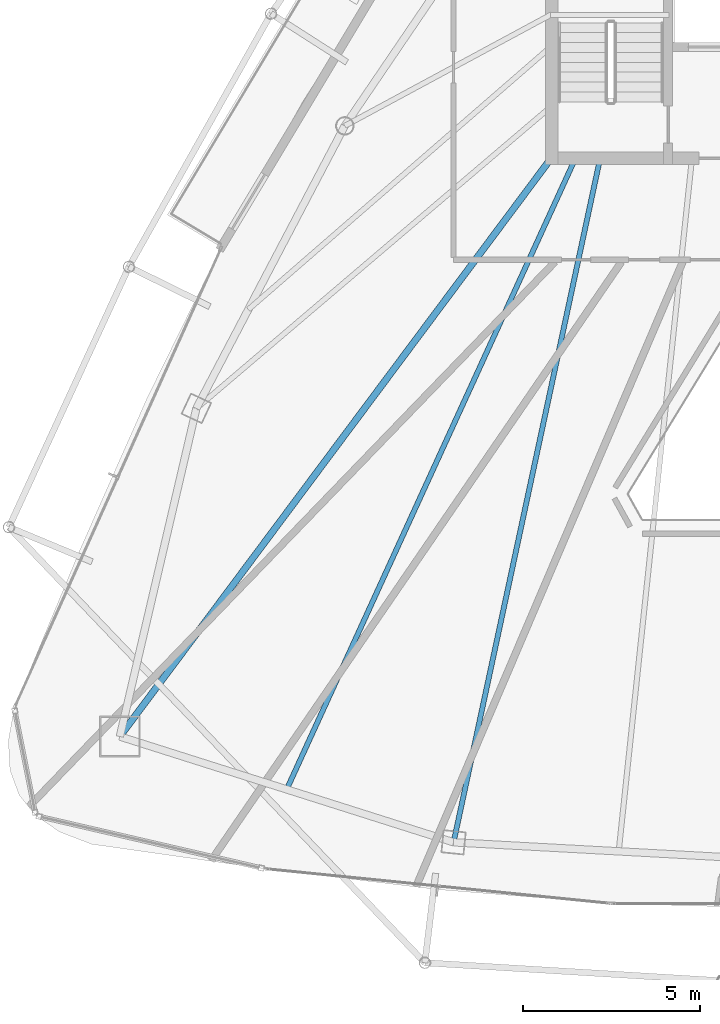
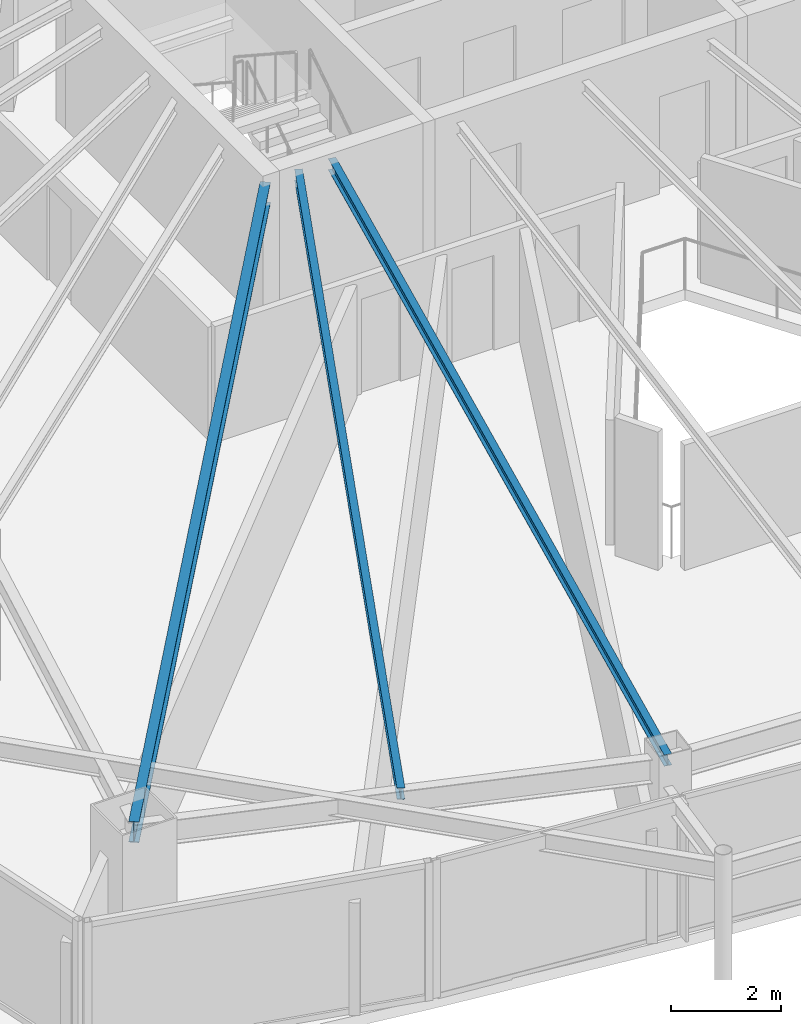
# One storey, part 6 of 28: 3 beams.
"""IFC4 building model written with IfcOpenShell, lengths in metres."""

from ifc_helpers import new_model, si_unit, direction, frame, origin, origin_2d, place, context, subcontext, project, spatial, i_section, extrude, material, material_profile, profile_set, type_object, element, save


model = new_model("IFC4")

# Units and contexts
model_context = context("Model", 3, precision=1e-05, world=origin(), true_north=direction((0.0, 1.0)))
body_context = subcontext(model_context, "Body", "Model", "MODEL_VIEW")
ifc_project = project(units=[si_unit("LENGTHUNIT", "METRE"), si_unit("AREAUNIT", "SQUARE_METRE"), si_unit("VOLUMEUNIT", "CUBIC_METRE"), si_unit("PLANEANGLEUNIT", "RADIAN"), si_unit("MASSUNIT", "GRAM", prefix="KILO")], contexts=[model_context])

# Site, building, storey
site_placement = place(None, origin())
site = spatial("IfcSite", under=ifc_project, at=site_placement, CompositionType="ELEMENT")
building_placement = place(site_placement, origin())
building = spatial("IfcBuilding", under=site, at=building_placement, Name="Orvanel Arch Residences", CompositionType="ELEMENT")
storey_placement = place(building_placement, frame((0.0, 0.0, 260.14990234375)))
storey = spatial("IfcBuildingStorey", under=building, at=storey_placement, Name="L74", CompositionType="ELEMENT", Elevation=260.14990234375)

# Beams
ifc_material = material(Name="Structural steel AS/NZS 3679.1 Grade 300 (300 MPa)", Category="steel")
ifc_material_profile_1 = material_profile(ifc_material, i_section(OverallWidth=0.19091796875, OverallDepth=0.4599609375, WebThickness=0.010009765625, FlangeThickness=0.01611328125, at=origin_2d()), Name="460UB82.1")
ifc_profile_set_1 = profile_set([ifc_material_profile_1], Name="Structural steel AS/NZS 3679.1 Grade 300 (300 MPa)")
beam_type_1 = type_object("IfcBeamType", Name="BG-460UB", PredefinedType="BEAM", material=ifc_profile_set_1)
beam_1_placement = place(storey_placement, frame((26.375, 26.675048828125, 2.830078125), z_axis=(-0.597893733742, -0.801575375839, 0.0), x_axis=(0.801575375839, -0.597893733742, 0.0)))
element("IfcBeam", 1, at=beam_1_placement, inside=storey, type_object=beam_type_1, Name="L74 South-West Radial Girder", PredefinedType="BEAM", context=body_context, shape_type="SweptSolid", body=[
    extrude(i_section(OverallWidth=0.19091796875, OverallDepth=0.4599609375, WebThickness=0.010009765625, FlangeThickness=0.01611328125, at=origin_2d()), origin(), (0.0, 0.0, 1.0), 20.36474609375),
])
ifc_material_profile_2 = material_profile(ifc_material, i_section(OverallWidth=0.14599609375, OverallDepth=0.251953125, WebThickness=0.006103515625, FlangeThickness=0.008544921875, at=origin_2d()), Name="250UB31.4")
ifc_profile_set_2 = profile_set([ifc_material_profile_2], Name="Structural steel AS/NZS 3679.1 Grade 300 (300 MPa)")
beam_type_2 = type_object("IfcBeamType", Name="BJ-250UB", PredefinedType="JOIST", material=ifc_profile_set_2)
beam_2_placement = place(storey_placement, frame((27.800048828125, 26.72509765625, 2.93408203125), z_axis=(-0.209547604985, -0.977798446125, 0.0), x_axis=(0.977798446125, -0.209547604985, 0.0)))
element("IfcBeam", 2, at=beam_2_placement, inside=storey, type_object=beam_type_2, Name="L74 SW Wing Floor Joist", PredefinedType="JOIST", context=body_context, shape_type="SweptSolid", body=[
    extrude(i_section(OverallWidth=0.14599609375, OverallDepth=0.251953125, WebThickness=0.006103515625, FlangeThickness=0.008544921875, at=origin_2d()), origin(), (0.0, 0.0, 1.0), 19.809814453125),
])
beam_3_placement = place(storey_placement, frame((27.10009765625, 26.72509765625, 2.93408203125), z_axis=(-0.416009574066, -0.909360233508, 0.0), x_axis=(0.909360233508, -0.416009574066, 0.0)))
element("IfcBeam", 3, at=beam_3_placement, inside=storey, type_object=beam_type_2, Name="L74 JADD1 Wing Floor Joist", PredefinedType="JOIST", context=body_context, shape_type="SweptSolid", body=[
    extrude(i_section(OverallWidth=0.14599609375, OverallDepth=0.251953125, WebThickness=0.006103515625, FlangeThickness=0.008544921875, at=origin_2d()), origin(), (0.0, 0.0, 1.0), 19.653564453125),
])

save(model, "model.ifc")
